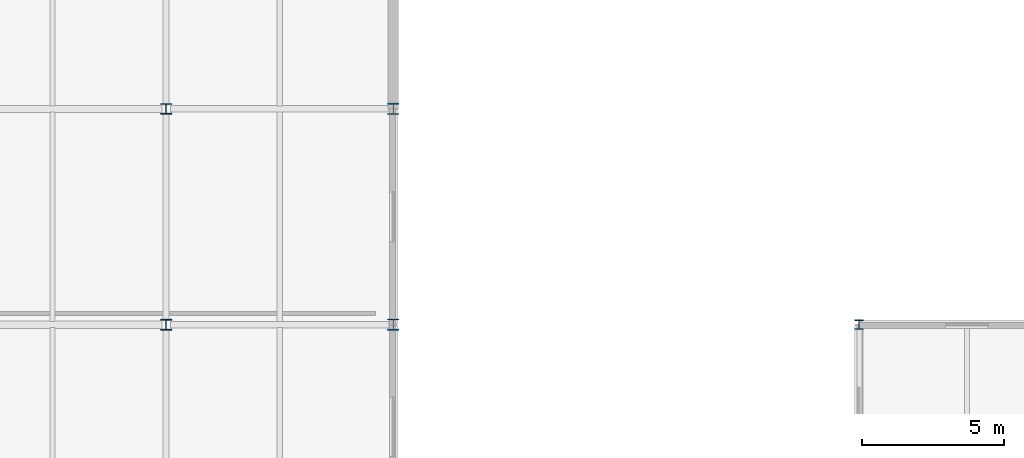
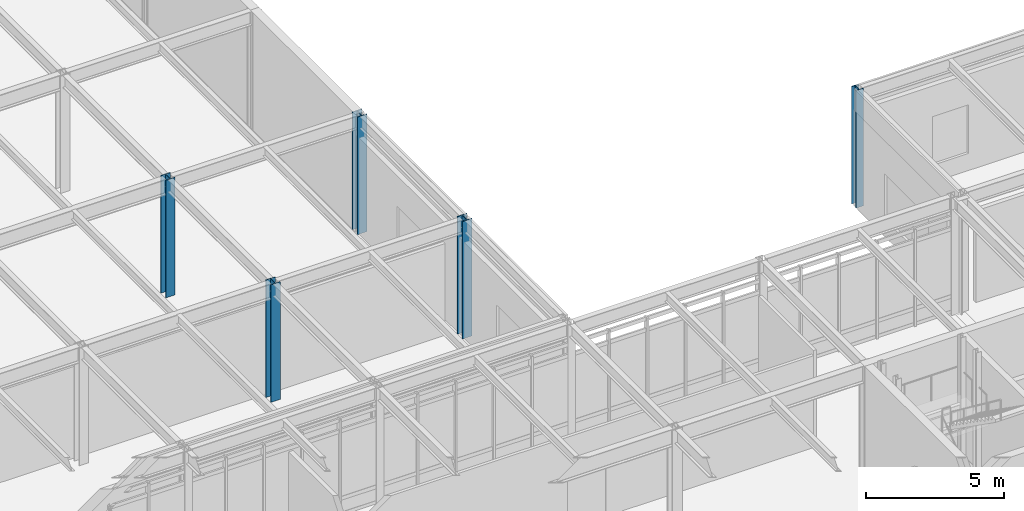
# One storey, part 14 of 94: 5 columns.
"""IFC4 building model written with IfcOpenShell, lengths in metres."""

from ifc_helpers import new_model, si_unit, direction, frame, origin, origin_2d, place, context, subcontext, project, spatial, i_section, extrude, material, material_profile, profile_set, type_object, element, save


model = new_model("IFC4")

# Units and contexts
model_context = context("Model", 3, precision=1e-05, world=origin(), true_north=direction((0.0, 1.0)))
body_context = subcontext(model_context, "Body", "Model", "MODEL_VIEW")
ifc_project = project(units=[si_unit("LENGTHUNIT", "METRE"), si_unit("AREAUNIT", "SQUARE_METRE"), si_unit("VOLUMEUNIT", "CUBIC_METRE"), si_unit("PLANEANGLEUNIT", "RADIAN"), si_unit("MASSUNIT", "GRAM", prefix="KILO")], contexts=[model_context])

# Site, building, storey
site_placement = place(None, origin())
site = spatial("IfcSite", under=ifc_project, at=site_placement, CompositionType="ELEMENT")
building_placement = place(site_placement, origin())
building = spatial("IfcBuilding", under=site, at=building_placement, Name="Zulena Civic Courthouse", CompositionType="ELEMENT")
storey_placement = place(building_placement, frame((0.0, 0.0, 5.39990234375)))
storey = spatial("IfcBuildingStorey", under=building, at=storey_placement, Name="L01", CompositionType="ELEMENT", Elevation=5.39990234375)

# Columns
ifc_material = material(Name="Steel ASTM A992 Grade 50", Category="steel")
ifc_material_profile_1 = material_profile(ifc_material, i_section(OverallWidth=0.31298828125, OverallDepth=0.3330078125, WebThickness=0.01806640625, FlangeThickness=0.0283203125, FilletRadius=0.01513671875, at=origin_2d()), Name="W12X120")
ifc_profile_set_1 = profile_set([ifc_material_profile_1], Name="Steel ASTM A992 Grade 50")
column_type_1 = type_object("IfcColumnType", Name="Col_W12X120", PredefinedType="COLUMN", material=ifc_profile_set_1)
column_placement = place(storey_placement, frame((124.39990234375, 53.199951171875, 0.0), z_axis=(0.0, 0.0, 1.0), x_axis=(1.0, 0.0, 0.0)))
element("IfcColumn", 1, at=column_placement, inside=storey, type_object=column_type_1, Name="col:V3:L01:124.4:53.2", PredefinedType="COLUMN", context=body_context, shape_type="SweptSolid", body=[
    extrude(i_section(OverallWidth=0.31298828125, OverallDepth=0.3330078125, WebThickness=0.01806640625, FlangeThickness=0.0283203125, FilletRadius=0.01513671875, at=origin_2d()), origin(), (0.0, 0.0, 1.0), 5.18505859375),
])
ifc_material_profile_2 = material_profile(ifc_material, i_section(OverallWidth=0.39404296875, OverallDepth=0.3759765625, WebThickness=0.017333984375, FlangeThickness=0.027587890625, FilletRadius=0.01513671875, at=origin_2d()), Name="W14X145")
ifc_profile_set_2 = profile_set([ifc_material_profile_2], Name="Steel ASTM A992 Grade 50")
column_type_2 = type_object("IfcColumnType", Name="Col_W14X145", PredefinedType="COLUMN", material=ifc_profile_set_2)
for number, where, z_axis, x_axis, name in (
    (2, (100.0, 53.199951171875, 0.0), (0.0, 0.0, 1.0), (1.0, 0.0, 0.0), "col:V5:L01:100.0:53.2"),
    (3, (100.0, 60.800048828125, 0.0), (0.0, 0.0, 1.0), (1.0, 0.0, 0.0), "col:V5:L01:100.0:60.8"),
):
    element("IfcColumn", number, at=place(storey_placement, frame(where, z_axis=z_axis, x_axis=x_axis)), inside=storey, type_object=column_type_2, Name=name, PredefinedType="COLUMN", context=body_context, shape_type="SweptSolid", body=[
        extrude(i_section(OverallWidth=0.39404296875, OverallDepth=0.3759765625, WebThickness=0.017333984375, FlangeThickness=0.027587890625, FilletRadius=0.01513671875, at=origin_2d()), origin(), (0.0, 0.0, 1.0), 5.18505859375),
    ])
ifc_material_profile_3 = material_profile(ifc_material, i_section(OverallWidth=0.40087890625, OverallDepth=0.39892578125, WebThickness=0.02490234375, FlangeThickness=0.03955078125, FilletRadius=0.01513671875, at=origin_2d()), Name="W14X211")
ifc_profile_set_3 = profile_set([ifc_material_profile_3], Name="Steel ASTM A992 Grade 50")
column_type_3 = type_object("IfcColumnType", Name="Col_W14X211", PredefinedType="COLUMN", material=ifc_profile_set_3)
for number, where, z_axis, x_axis, name in (
    (4, (108.0, 53.199951171875, 0.0), (0.0, 0.0, 1.0), (1.0, 0.0, 0.0), "col:V5:L01:108.0:53.2"),
    (5, (108.0, 60.800048828125, 0.0), (0.0, 0.0, 1.0), (1.0, 0.0, 0.0), "col:V5:L01:108.0:60.8"),
):
    element("IfcColumn", number, at=place(storey_placement, frame(where, z_axis=z_axis, x_axis=x_axis)), inside=storey, type_object=column_type_3, Name=name, PredefinedType="COLUMN", context=body_context, shape_type="SweptSolid", body=[
        extrude(i_section(OverallWidth=0.40087890625, OverallDepth=0.39892578125, WebThickness=0.02490234375, FlangeThickness=0.03955078125, FilletRadius=0.01513671875, at=origin_2d()), origin(), (0.0, 0.0, 1.0), 5.18505859375),
    ])

save(model, "model.ifc")
